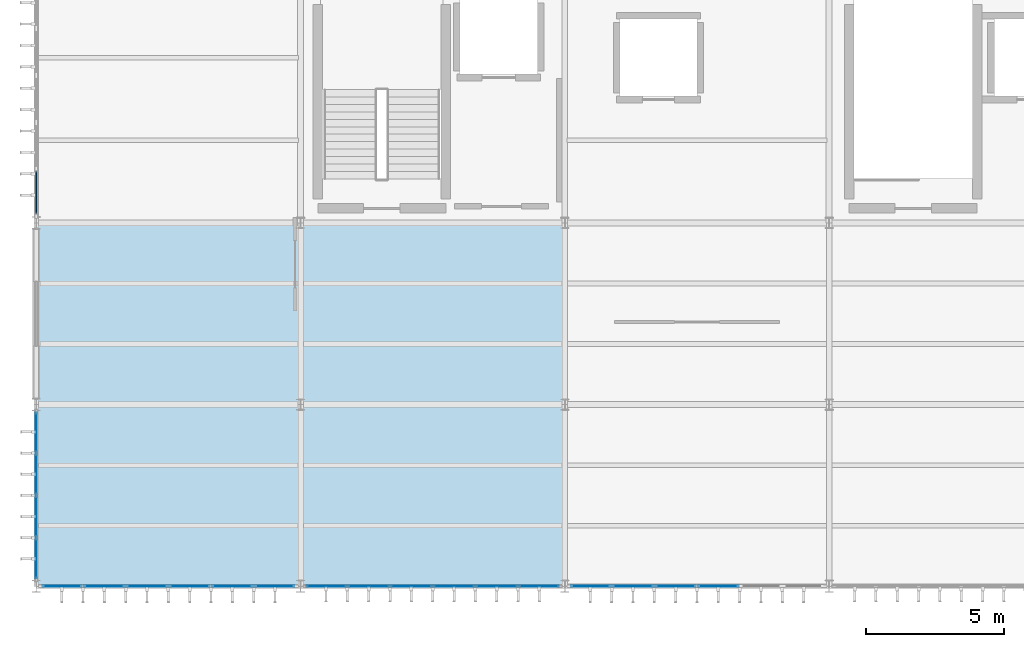
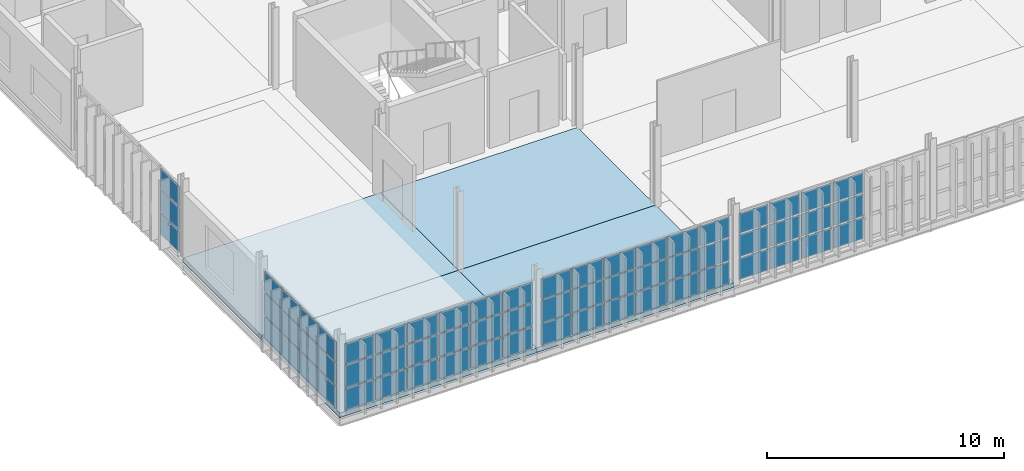
# One storey, part 14 of 38: 63 plates, 4 slabs, 5 elements without a shape of their own.
"""IFC4 building model written with IfcOpenShell, lengths in metres."""

from ifc_helpers import new_model, si_unit, direction, frame, origin, origin_2d, place, context, subcontext, project, spatial, polyline, rectangle, outline, extrude, material, layer, layer_set, type_object, element, aggregate, save


model = new_model("IFC4")

# Units and contexts
model_context = context("Model", 3, precision=1e-05, world=origin(), true_north=direction((0.0, 1.0)))
body_context = subcontext(model_context, "Body", "Model", "MODEL_VIEW")
ifc_project = project(units=[si_unit("LENGTHUNIT", "METRE"), si_unit("AREAUNIT", "SQUARE_METRE"), si_unit("VOLUMEUNIT", "CUBIC_METRE"), si_unit("PLANEANGLEUNIT", "RADIAN"), si_unit("MASSUNIT", "GRAM", prefix="KILO")], contexts=[model_context])

# Site, building, storey
site_placement = place(None, origin())
site = spatial("IfcSite", under=ifc_project, at=site_placement, CompositionType="ELEMENT")
building_placement = place(site_placement, origin())
building = spatial("IfcBuilding", under=site, at=building_placement, Name="Zarnetskaya Central Station", CompositionType="ELEMENT")
storey_placement = place(building_placement, frame((0.0, 0.0, 18.60009765625)))
storey = spatial("IfcBuildingStorey", under=building, at=storey_placement, Name="L04", CompositionType="ELEMENT", Elevation=18.60009765625)

# Curtain wall, plates
ifc_material_1 = material(Name="Low-E insulated glass", Category="glass")
ifc_layer_1 = layer(ifc_material_1, 0.16796875, Name="Low-E insulated glass", Category="glass")
ifc_layer_set_1 = layer_set([ifc_layer_1], Name="Low-E insulated glass")
curtain_wall_type_1 = type_object("IfcCurtainWallType", Name="CW-SYS-08", PredefinedType="USERDEFINED", material=ifc_layer_set_1)
curtain_wall_1_placement = place(storey_placement, origin())
curtain_wall_1 = element("IfcCurtainWall", 1, at=curtain_wall_1_placement, inside=storey, type_object=curtain_wall_type_1, Name="Curtain wall CW-L04-060", ObjectType="CURTAIN WALL", PredefinedType="USERDEFINED")
ifc_layer_2 = layer(ifc_material_1, 0.028076171875, Name="Low-E insulated glass", Category="glass")
ifc_layer_set_2 = layer_set([ifc_layer_2], Name="Low-E insulated glass")
plate_type_1 = type_object("IfcPlateType", Name="CW-PAN-28", PredefinedType="CURTAIN_PANEL", material=ifc_layer_set_2)
plate_1_placement = place(storey_placement, frame((24.77490234375, 0.0, 0.080078125), z_axis=(0.0, 0.0, 1.0), x_axis=(-1.0, 0.0, 0.0)))
plate_1 = element("IfcPlate", 2, at=plate_1_placement, type_object=plate_type_1, Name="CW-16 panel 3.1", PredefinedType="CURTAIN_PANEL", context=body_context, shape_type="SweptSolid", body=[
    extrude(rectangle(XDim=1.469970703125, YDim=0.028076171875, at=origin_2d()), origin(), (0.0, 0.0, 1.0), 1.090087890625),
])
plate_2_placement = place(storey_placement, frame((24.77490234375, 0.0, 1.25), z_axis=(0.0, 0.0, 1.0), x_axis=(-1.0, 0.0, 0.0)))
plate_2 = element("IfcPlate", 3, at=plate_2_placement, type_object=plate_type_1, Name="CW-16 panel 3.2", PredefinedType="CURTAIN_PANEL", context=body_context, shape_type="SweptSolid", body=[
    extrude(rectangle(XDim=1.469970703125, YDim=0.028076171875, at=origin_2d()), origin(), (0.0, 0.0, 1.0), 1.131103515625),
])
plate_3_placement = place(storey_placement, frame((24.77490234375, 0.0, 2.4609375), z_axis=(0.0, 0.0, 1.0), x_axis=(-1.0, 0.0, 0.0)))
plate_3 = element("IfcPlate", 4, at=plate_3_placement, type_object=plate_type_1, Name="CW-16 panel 3.3", PredefinedType="CURTAIN_PANEL", context=body_context, shape_type="SweptSolid", body=[
    extrude(rectangle(XDim=1.469970703125, YDim=0.028076171875, at=origin_2d()), origin(), (0.0, 0.0, 1.0), 1.01904296875),
])
plate_4_placement = place(storey_placement, frame((23.22509765625, 0.0, 0.080078125), z_axis=(0.0, 0.0, 1.0), x_axis=(-1.0, 0.0, 0.0)))
plate_4 = element("IfcPlate", 5, at=plate_4_placement, type_object=plate_type_1, Name="CW-16 panel 4.1", PredefinedType="CURTAIN_PANEL", context=body_context, shape_type="SweptSolid", body=[
    extrude(rectangle(XDim=1.469970703125, YDim=0.028076171875, at=origin_2d()), origin(), (0.0, 0.0, 1.0), 1.090087890625),
])
plate_5_placement = place(storey_placement, frame((23.22509765625, 0.0, 1.25), z_axis=(0.0, 0.0, 1.0), x_axis=(-1.0, 0.0, 0.0)))
plate_5 = element("IfcPlate", 6, at=plate_5_placement, type_object=plate_type_1, Name="CW-16 panel 4.2", PredefinedType="CURTAIN_PANEL", context=body_context, shape_type="SweptSolid", body=[
    extrude(rectangle(XDim=1.469970703125, YDim=0.028076171875, at=origin_2d()), origin(), (0.0, 0.0, 1.0), 1.131103515625),
])
plate_6_placement = place(storey_placement, frame((23.22509765625, 0.0, 2.4609375), z_axis=(0.0, 0.0, 1.0), x_axis=(-1.0, 0.0, 0.0)))
plate_6 = element("IfcPlate", 7, at=plate_6_placement, type_object=plate_type_1, Name="CW-16 panel 4.3", PredefinedType="CURTAIN_PANEL", context=body_context, shape_type="SweptSolid", body=[
    extrude(rectangle(XDim=1.469970703125, YDim=0.028076171875, at=origin_2d()), origin(), (0.0, 0.0, 1.0), 1.01904296875),
])
plate_7_placement = place(storey_placement, frame((21.675048828125, 0.0, 0.080078125), z_axis=(0.0, 0.0, 1.0), x_axis=(-1.0, 0.0, 0.0)))
plate_7 = element("IfcPlate", 8, at=plate_7_placement, type_object=plate_type_1, Name="CW-16 panel 5.1", PredefinedType="CURTAIN_PANEL", context=body_context, shape_type="SweptSolid", body=[
    extrude(rectangle(XDim=1.469970703125, YDim=0.028076171875, at=origin_2d()), origin(), (0.0, 0.0, 1.0), 1.090087890625),
])
plate_8_placement = place(storey_placement, frame((21.675048828125, 0.0, 1.25), z_axis=(0.0, 0.0, 1.0), x_axis=(-1.0, 0.0, 0.0)))
plate_8 = element("IfcPlate", 9, at=plate_8_placement, type_object=plate_type_1, Name="CW-16 panel 5.2", PredefinedType="CURTAIN_PANEL", context=body_context, shape_type="SweptSolid", body=[
    extrude(rectangle(XDim=1.469970703125, YDim=0.028076171875, at=origin_2d()), origin(), (0.0, 0.0, 1.0), 1.131103515625),
])
plate_9_placement = place(storey_placement, frame((21.675048828125, 0.0, 2.4609375), z_axis=(0.0, 0.0, 1.0), x_axis=(-1.0, 0.0, 0.0)))
plate_9 = element("IfcPlate", 10, at=plate_9_placement, type_object=plate_type_1, Name="CW-16 panel 5.3", PredefinedType="CURTAIN_PANEL", context=body_context, shape_type="SweptSolid", body=[
    extrude(rectangle(XDim=1.469970703125, YDim=0.028076171875, at=origin_2d()), origin(), (0.0, 0.0, 1.0), 1.01904296875),
])
plate_10_placement = place(storey_placement, frame((20.14501953125, 0.0, 0.080078125), z_axis=(0.0, 0.0, 1.0), x_axis=(-1.0, 0.0, 0.0)))
plate_10 = element("IfcPlate", 11, at=plate_10_placement, type_object=plate_type_1, Name="CW-16 panel 6.1", PredefinedType="CURTAIN_PANEL", context=body_context, shape_type="SweptSolid", body=[
    extrude(rectangle(XDim=1.429931640625, YDim=0.028076171875, at=origin_2d()), origin(), (0.0, 0.0, 1.0), 1.090087890625),
])
plate_11_placement = place(storey_placement, frame((20.14501953125, 0.0, 1.25), z_axis=(0.0, 0.0, 1.0), x_axis=(-1.0, 0.0, 0.0)))
plate_11 = element("IfcPlate", 12, at=plate_11_placement, type_object=plate_type_1, Name="CW-16 panel 6.2", PredefinedType="CURTAIN_PANEL", context=body_context, shape_type="SweptSolid", body=[
    extrude(rectangle(XDim=1.429931640625, YDim=0.028076171875, at=origin_2d()), origin(), (0.0, 0.0, 1.0), 1.131103515625),
])
plate_12_placement = place(storey_placement, frame((20.14501953125, 0.0, 2.4609375), z_axis=(0.0, 0.0, 1.0), x_axis=(-1.0, 0.0, 0.0)))
plate_12 = element("IfcPlate", 13, at=plate_12_placement, type_object=plate_type_1, Name="CW-16 panel 6.3", PredefinedType="CURTAIN_PANEL", context=body_context, shape_type="SweptSolid", body=[
    extrude(rectangle(XDim=1.429931640625, YDim=0.028076171875, at=origin_2d()), origin(), (0.0, 0.0, 1.0), 1.01904296875),
])
aggregate(curtain_wall_1, [plate_1, plate_2, plate_3, plate_4, plate_5, plate_6, plate_7, plate_8, plate_9, plate_10, plate_11, plate_12])

ifc_layer_3 = layer(ifc_material_1, 0.172119140625, Name="Low-E insulated glass", Category="glass")
ifc_layer_set_3 = layer_set([ifc_layer_3], Name="Low-E insulated glass")
curtain_wall_type_2 = type_object("IfcCurtainWallType", Name="CW-SYS-09", PredefinedType="USERDEFINED", material=ifc_layer_set_3)
curtain_wall_2_placement = place(storey_placement, origin())
curtain_wall_2 = element("IfcCurtainWall", 14, at=curtain_wall_2_placement, inside=storey, type_object=curtain_wall_type_2, Name="Curtain wall CW-L04-061", ObjectType="CURTAIN WALL", PredefinedType="USERDEFINED")
ifc_layer_4 = layer(ifc_material_1, 0.031982421875, Name="Low-E insulated glass", Category="glass")
ifc_layer_set_4 = layer_set([ifc_layer_4], Name="Low-E insulated glass")
plate_type_2 = type_object("IfcPlateType", Name="CW-PAN-32", PredefinedType="CURTAIN_PANEL", material=ifc_layer_set_4)
plate_13_placement = place(storey_placement, frame((18.257568359375, 0.0, 0.06982421875), z_axis=(0.0, 0.0, 1.0), x_axis=(-1.0, 0.0, 0.0)))
plate_13 = element("IfcPlate", 15, at=plate_13_placement, type_object=plate_type_2, Name="CW-07 panel 1.1", PredefinedType="CURTAIN_PANEL", context=body_context, shape_type="SweptSolid", body=[
    extrude(rectangle(XDim=1.445068359375, YDim=0.031982421875, at=origin_2d()), origin(), (0.0, 0.0, 1.0), 1.10498046875),
])
plate_14_placement = place(storey_placement, frame((18.257568359375, 0.0, 1.244873046875), z_axis=(0.0, 0.0, 1.0), x_axis=(-1.0, 0.0, 0.0)))
plate_14 = element("IfcPlate", 16, at=plate_14_placement, type_object=plate_type_2, Name="CW-07 panel 1.2", PredefinedType="CURTAIN_PANEL", context=body_context, shape_type="SweptSolid", body=[
    extrude(rectangle(XDim=1.445068359375, YDim=0.031982421875, at=origin_2d()), origin(), (0.0, 0.0, 1.0), 1.14111328125),
])
plate_15_placement = place(storey_placement, frame((18.257568359375, 0.0, 2.4560546875), z_axis=(0.0, 0.0, 1.0), x_axis=(-1.0, 0.0, 0.0)))
plate_15 = element("IfcPlate", 17, at=plate_15_placement, type_object=plate_type_2, Name="CW-07 panel 1.3", PredefinedType="CURTAIN_PANEL", context=body_context, shape_type="SweptSolid", body=[
    extrude(rectangle(XDim=1.445068359375, YDim=0.031982421875, at=origin_2d()), origin(), (0.0, 0.0, 1.0), 1.033935546875),
])
plate_16_placement = place(storey_placement, frame((16.72509765625, 0.0, 0.06982421875), z_axis=(0.0, 0.0, 1.0), x_axis=(-1.0, 0.0, 0.0)))
plate_16 = element("IfcPlate", 18, at=plate_16_placement, type_object=plate_type_2, Name="CW-07 panel 2.1", PredefinedType="CURTAIN_PANEL", context=body_context, shape_type="SweptSolid", body=[
    extrude(rectangle(XDim=1.47998046875, YDim=0.031982421875, at=origin_2d()), origin(), (0.0, 0.0, 1.0), 1.10498046875),
])
plate_17_placement = place(storey_placement, frame((16.72509765625, 0.0, 1.244873046875), z_axis=(0.0, 0.0, 1.0), x_axis=(-1.0, 0.0, 0.0)))
plate_17 = element("IfcPlate", 19, at=plate_17_placement, type_object=plate_type_2, Name="CW-07 panel 2.2", PredefinedType="CURTAIN_PANEL", context=body_context, shape_type="SweptSolid", body=[
    extrude(rectangle(XDim=1.47998046875, YDim=0.031982421875, at=origin_2d()), origin(), (0.0, 0.0, 1.0), 1.14111328125),
])
plate_18_placement = place(storey_placement, frame((16.72509765625, 0.0, 2.4560546875), z_axis=(0.0, 0.0, 1.0), x_axis=(-1.0, 0.0, 0.0)))
plate_18 = element("IfcPlate", 20, at=plate_18_placement, type_object=plate_type_2, Name="CW-07 panel 2.3", PredefinedType="CURTAIN_PANEL", context=body_context, shape_type="SweptSolid", body=[
    extrude(rectangle(XDim=1.47998046875, YDim=0.031982421875, at=origin_2d()), origin(), (0.0, 0.0, 1.0), 1.033935546875),
])
plate_19_placement = place(storey_placement, frame((15.175048828125, 0.0, 0.06982421875), z_axis=(0.0, 0.0, 1.0), x_axis=(-1.0, 0.0, 0.0)))
plate_19 = element("IfcPlate", 21, at=plate_19_placement, type_object=plate_type_2, Name="CW-07 panel 3.1", PredefinedType="CURTAIN_PANEL", context=body_context, shape_type="SweptSolid", body=[
    extrude(rectangle(XDim=1.47998046875, YDim=0.031982421875, at=origin_2d()), origin(), (0.0, 0.0, 1.0), 1.10498046875),
])
plate_20_placement = place(storey_placement, frame((15.175048828125, 0.0, 1.244873046875), z_axis=(0.0, 0.0, 1.0), x_axis=(-1.0, 0.0, 0.0)))
plate_20 = element("IfcPlate", 22, at=plate_20_placement, type_object=plate_type_2, Name="CW-07 panel 3.2", PredefinedType="CURTAIN_PANEL", context=body_context, shape_type="SweptSolid", body=[
    extrude(rectangle(XDim=1.47998046875, YDim=0.031982421875, at=origin_2d()), origin(), (0.0, 0.0, 1.0), 1.14111328125),
])
plate_21_placement = place(storey_placement, frame((15.175048828125, 0.0, 2.4560546875), z_axis=(0.0, 0.0, 1.0), x_axis=(-1.0, 0.0, 0.0)))
plate_21 = element("IfcPlate", 23, at=plate_21_placement, type_object=plate_type_2, Name="CW-07 panel 3.3", PredefinedType="CURTAIN_PANEL", context=body_context, shape_type="SweptSolid", body=[
    extrude(rectangle(XDim=1.47998046875, YDim=0.031982421875, at=origin_2d()), origin(), (0.0, 0.0, 1.0), 1.033935546875),
])
plate_22_placement = place(storey_placement, frame((13.625, 0.0, 0.06982421875), z_axis=(0.0, 0.0, 1.0), x_axis=(-1.0, 0.0, 0.0)))
plate_22 = element("IfcPlate", 24, at=plate_22_placement, type_object=plate_type_2, Name="CW-07 panel 4.1", PredefinedType="CURTAIN_PANEL", context=body_context, shape_type="SweptSolid", body=[
    extrude(rectangle(XDim=1.47998046875, YDim=0.031982421875, at=origin_2d()), origin(), (0.0, 0.0, 1.0), 1.10498046875),
])
plate_23_placement = place(storey_placement, frame((13.625, 0.0, 1.244873046875), z_axis=(0.0, 0.0, 1.0), x_axis=(-1.0, 0.0, 0.0)))
plate_23 = element("IfcPlate", 25, at=plate_23_placement, type_object=plate_type_2, Name="CW-07 panel 4.2", PredefinedType="CURTAIN_PANEL", context=body_context, shape_type="SweptSolid", body=[
    extrude(rectangle(XDim=1.47998046875, YDim=0.031982421875, at=origin_2d()), origin(), (0.0, 0.0, 1.0), 1.14111328125),
])
plate_24_placement = place(storey_placement, frame((13.625, 0.0, 2.4560546875), z_axis=(0.0, 0.0, 1.0), x_axis=(-1.0, 0.0, 0.0)))
plate_24 = element("IfcPlate", 26, at=plate_24_placement, type_object=plate_type_2, Name="CW-07 panel 4.3", PredefinedType="CURTAIN_PANEL", context=body_context, shape_type="SweptSolid", body=[
    extrude(rectangle(XDim=1.47998046875, YDim=0.031982421875, at=origin_2d()), origin(), (0.0, 0.0, 1.0), 1.033935546875),
])
plate_25_placement = place(storey_placement, frame((12.074951171875, 0.0, 0.06982421875), z_axis=(0.0, 0.0, 1.0), x_axis=(-1.0, 0.0, 0.0)))
plate_25 = element("IfcPlate", 27, at=plate_25_placement, type_object=plate_type_2, Name="CW-07 panel 5.1", PredefinedType="CURTAIN_PANEL", context=body_context, shape_type="SweptSolid", body=[
    extrude(rectangle(XDim=1.47998046875, YDim=0.031982421875, at=origin_2d()), origin(), (0.0, 0.0, 1.0), 1.10498046875),
])
plate_26_placement = place(storey_placement, frame((12.074951171875, 0.0, 1.244873046875), z_axis=(0.0, 0.0, 1.0), x_axis=(-1.0, 0.0, 0.0)))
plate_26 = element("IfcPlate", 28, at=plate_26_placement, type_object=plate_type_2, Name="CW-07 panel 5.2", PredefinedType="CURTAIN_PANEL", context=body_context, shape_type="SweptSolid", body=[
    extrude(rectangle(XDim=1.47998046875, YDim=0.031982421875, at=origin_2d()), origin(), (0.0, 0.0, 1.0), 1.14111328125),
])
plate_27_placement = place(storey_placement, frame((12.074951171875, 0.0, 2.4560546875), z_axis=(0.0, 0.0, 1.0), x_axis=(-1.0, 0.0, 0.0)))
plate_27 = element("IfcPlate", 29, at=plate_27_placement, type_object=plate_type_2, Name="CW-07 panel 5.3", PredefinedType="CURTAIN_PANEL", context=body_context, shape_type="SweptSolid", body=[
    extrude(rectangle(XDim=1.47998046875, YDim=0.031982421875, at=origin_2d()), origin(), (0.0, 0.0, 1.0), 1.033935546875),
])
plate_28_placement = place(storey_placement, frame((10.54248046875, 0.0, 0.06982421875), z_axis=(0.0, 0.0, 1.0), x_axis=(-1.0, 0.0, 0.0)))
plate_28 = element("IfcPlate", 30, at=plate_28_placement, type_object=plate_type_2, Name="CW-07 panel 6.1", PredefinedType="CURTAIN_PANEL", context=body_context, shape_type="SweptSolid", body=[
    extrude(rectangle(XDim=1.445068359375, YDim=0.031982421875, at=origin_2d()), origin(), (0.0, 0.0, 1.0), 1.10498046875),
])
plate_29_placement = place(storey_placement, frame((10.54248046875, 0.0, 1.244873046875), z_axis=(0.0, 0.0, 1.0), x_axis=(-1.0, 0.0, 0.0)))
plate_29 = element("IfcPlate", 31, at=plate_29_placement, type_object=plate_type_2, Name="CW-07 panel 6.2", PredefinedType="CURTAIN_PANEL", context=body_context, shape_type="SweptSolid", body=[
    extrude(rectangle(XDim=1.445068359375, YDim=0.031982421875, at=origin_2d()), origin(), (0.0, 0.0, 1.0), 1.14111328125),
])
plate_30_placement = place(storey_placement, frame((10.54248046875, 0.0, 2.4560546875), z_axis=(0.0, 0.0, 1.0), x_axis=(-1.0, 0.0, 0.0)))
plate_30 = element("IfcPlate", 32, at=plate_30_placement, type_object=plate_type_2, Name="CW-07 panel 6.3", PredefinedType="CURTAIN_PANEL", context=body_context, shape_type="SweptSolid", body=[
    extrude(rectangle(XDim=1.445068359375, YDim=0.031982421875, at=origin_2d()), origin(), (0.0, 0.0, 1.0), 1.033935546875),
])
aggregate(curtain_wall_2, [plate_13, plate_14, plate_15, plate_16, plate_17, plate_18, plate_19, plate_20, plate_21, plate_22, plate_23, plate_24, plate_25, plate_26, plate_27, plate_28, plate_29, plate_30])

ifc_layer_5 = layer(ifc_material_1, 0.159912109375, Name="Low-E insulated glass", Category="glass")
ifc_layer_set_5 = layer_set([ifc_layer_5], Name="Low-E insulated glass")
curtain_wall_type_3 = type_object("IfcCurtainWallType", Name="CW-SYS-06", PredefinedType="USERDEFINED", material=ifc_layer_set_5)
curtain_wall_3_placement = place(storey_placement, origin())
curtain_wall_3 = element("IfcCurtainWall", 33, at=curtain_wall_3_placement, inside=storey, type_object=curtain_wall_type_3, Name="Curtain wall CW-L04-047", ObjectType="CURTAIN WALL", PredefinedType="USERDEFINED")
ifc_layer_6 = layer(ifc_material_1, 0.035888671875, Name="Low-E insulated glass", Category="glass")
ifc_layer_set_6 = layer_set([ifc_layer_6], Name="Low-E insulated glass")
plate_type_3 = type_object("IfcPlateType", Name="CW-PAN-36", PredefinedType="CURTAIN_PANEL", material=ifc_layer_set_6)
plate_31_placement = place(storey_placement, frame((0.0, 1.01123046875, 0.06982421875), z_axis=(0.0, 0.0, 1.0), x_axis=(0.0, 1.0, 0.0)))
plate_31 = element("IfcPlate", 34, at=plate_31_placement, type_object=plate_type_3, Name="CW-02 panel 1.1", PredefinedType="CURTAIN_PANEL", context=body_context, shape_type="SweptSolid", body=[
    extrude(rectangle(XDim=1.4326171875, YDim=0.035888671875, at=origin_2d()), origin(), (0.0, 0.0, 1.0), 1.10498046875),
])
plate_32_placement = place(storey_placement, frame((0.0, 1.01123046875, 1.244873046875), z_axis=(0.0, 0.0, 1.0), x_axis=(0.0, 1.0, 0.0)))
plate_32 = element("IfcPlate", 35, at=plate_32_placement, type_object=plate_type_3, Name="CW-02 panel 1.2", PredefinedType="CURTAIN_PANEL", context=body_context, shape_type="SweptSolid", body=[
    extrude(rectangle(XDim=1.4326171875, YDim=0.035888671875, at=origin_2d()), origin(), (0.0, 0.0, 1.0), 1.14111328125),
])
plate_33_placement = place(storey_placement, frame((0.0, 1.01123046875, 2.4560546875), z_axis=(0.0, 0.0, 1.0), x_axis=(0.0, 1.0, 0.0)))
plate_33 = element("IfcPlate", 36, at=plate_33_placement, type_object=plate_type_3, Name="CW-02 panel 1.3", PredefinedType="CURTAIN_PANEL", context=body_context, shape_type="SweptSolid", body=[
    extrude(rectangle(XDim=1.4326171875, YDim=0.035888671875, at=origin_2d()), origin(), (0.0, 0.0, 1.0), 1.033935546875),
])
plate_34_placement = place(storey_placement, frame((0.0, 2.53125, 0.06982421875), z_axis=(0.0, 0.0, 1.0), x_axis=(0.0, 1.0, 0.0)))
plate_34 = element("IfcPlate", 37, at=plate_34_placement, type_object=plate_type_3, Name="CW-02 panel 2.1", PredefinedType="CURTAIN_PANEL", context=body_context, shape_type="SweptSolid", body=[
    extrude(rectangle(XDim=1.467529296875, YDim=0.035888671875, at=origin_2d()), origin(), (0.0, 0.0, 1.0), 1.10498046875),
])
plate_35_placement = place(storey_placement, frame((0.0, 2.53125, 1.244873046875), z_axis=(0.0, 0.0, 1.0), x_axis=(0.0, 1.0, 0.0)))
plate_35 = element("IfcPlate", 38, at=plate_35_placement, type_object=plate_type_3, Name="CW-02 panel 2.2", PredefinedType="CURTAIN_PANEL", context=body_context, shape_type="SweptSolid", body=[
    extrude(rectangle(XDim=1.467529296875, YDim=0.035888671875, at=origin_2d()), origin(), (0.0, 0.0, 1.0), 1.14111328125),
])
plate_36_placement = place(storey_placement, frame((0.0, 2.53125, 2.4560546875), z_axis=(0.0, 0.0, 1.0), x_axis=(0.0, 1.0, 0.0)))
plate_36 = element("IfcPlate", 39, at=plate_36_placement, type_object=plate_type_3, Name="CW-02 panel 2.3", PredefinedType="CURTAIN_PANEL", context=body_context, shape_type="SweptSolid", body=[
    extrude(rectangle(XDim=1.467529296875, YDim=0.035888671875, at=origin_2d()), origin(), (0.0, 0.0, 1.0), 1.033935546875),
])
plate_37_placement = place(storey_placement, frame((0.0, 4.06884765625, 0.06982421875), z_axis=(0.0, 0.0, 1.0), x_axis=(0.0, 1.0, 0.0)))
plate_37 = element("IfcPlate", 40, at=plate_37_placement, type_object=plate_type_3, Name="CW-02 panel 3.1", PredefinedType="CURTAIN_PANEL", context=body_context, shape_type="SweptSolid", body=[
    extrude(rectangle(XDim=1.467529296875, YDim=0.035888671875, at=origin_2d()), origin(), (0.0, 0.0, 1.0), 1.10498046875),
])
plate_38_placement = place(storey_placement, frame((0.0, 4.06884765625, 1.244873046875), z_axis=(0.0, 0.0, 1.0), x_axis=(0.0, 1.0, 0.0)))
plate_38 = element("IfcPlate", 41, at=plate_38_placement, type_object=plate_type_3, Name="CW-02 panel 3.2", PredefinedType="CURTAIN_PANEL", context=body_context, shape_type="SweptSolid", body=[
    extrude(rectangle(XDim=1.467529296875, YDim=0.035888671875, at=origin_2d()), origin(), (0.0, 0.0, 1.0), 1.14111328125),
])
plate_39_placement = place(storey_placement, frame((0.0, 4.06884765625, 2.4560546875), z_axis=(0.0, 0.0, 1.0), x_axis=(0.0, 1.0, 0.0)))
plate_39 = element("IfcPlate", 42, at=plate_39_placement, type_object=plate_type_3, Name="CW-02 panel 3.3", PredefinedType="CURTAIN_PANEL", context=body_context, shape_type="SweptSolid", body=[
    extrude(rectangle(XDim=1.467529296875, YDim=0.035888671875, at=origin_2d()), origin(), (0.0, 0.0, 1.0), 1.033935546875),
])
plate_40_placement = place(storey_placement, frame((0.0, 5.5888671875, 0.06982421875), z_axis=(0.0, 0.0, 1.0), x_axis=(0.0, 1.0, 0.0)))
plate_40 = element("IfcPlate", 43, at=plate_40_placement, type_object=plate_type_3, Name="CW-02 panel 4.1", PredefinedType="CURTAIN_PANEL", context=body_context, shape_type="SweptSolid", body=[
    extrude(rectangle(XDim=1.4326171875, YDim=0.035888671875, at=origin_2d()), origin(), (0.0, 0.0, 1.0), 1.10498046875),
])
plate_41_placement = place(storey_placement, frame((0.0, 5.5888671875, 1.244873046875), z_axis=(0.0, 0.0, 1.0), x_axis=(0.0, 1.0, 0.0)))
plate_41 = element("IfcPlate", 44, at=plate_41_placement, type_object=plate_type_3, Name="CW-02 panel 4.2", PredefinedType="CURTAIN_PANEL", context=body_context, shape_type="SweptSolid", body=[
    extrude(rectangle(XDim=1.4326171875, YDim=0.035888671875, at=origin_2d()), origin(), (0.0, 0.0, 1.0), 1.14111328125),
])
plate_42_placement = place(storey_placement, frame((0.0, 5.5888671875, 2.4560546875), z_axis=(0.0, 0.0, 1.0), x_axis=(0.0, 1.0, 0.0)))
plate_42 = element("IfcPlate", 45, at=plate_42_placement, type_object=plate_type_3, Name="CW-02 panel 4.3", PredefinedType="CURTAIN_PANEL", context=body_context, shape_type="SweptSolid", body=[
    extrude(rectangle(XDim=1.4326171875, YDim=0.035888671875, at=origin_2d()), origin(), (0.0, 0.0, 1.0), 1.033935546875),
])
aggregate(curtain_wall_3, [plate_31, plate_32, plate_33, plate_34, plate_35, plate_36, plate_37, plate_38, plate_39, plate_40, plate_41, plate_42])

ifc_layer_7 = layer(ifc_material_1, 0.176025390625, Name="Low-E insulated glass", Category="glass")
ifc_layer_set_7 = layer_set([ifc_layer_7], Name="Low-E insulated glass")
curtain_wall_type_4 = type_object("IfcCurtainWallType", Name="CW-SYS-10", PredefinedType="USERDEFINED", material=ifc_layer_set_7)
curtain_wall_4_placement = place(storey_placement, origin())
curtain_wall_4 = element("IfcCurtainWall", 46, at=curtain_wall_4_placement, inside=storey, type_object=curtain_wall_type_4, Name="Curtain wall CW-L04-062", ObjectType="CURTAIN WALL", PredefinedType="USERDEFINED")
plate_43_placement = place(storey_placement, frame((8.655029296875, 0.0, 0.080078125), z_axis=(0.0, 0.0, 1.0), x_axis=(-1.0, 0.0, 0.0)))
plate_43 = element("IfcPlate", 47, at=plate_43_placement, type_object=plate_type_3, Name="CW-13 panel 1.1", PredefinedType="CURTAIN_PANEL", context=body_context, shape_type="SweptSolid", body=[
    extrude(rectangle(XDim=1.429931640625, YDim=0.035888671875, at=origin_2d()), origin(), (0.0, 0.0, 1.0), 1.090087890625),
])
plate_44_placement = place(storey_placement, frame((8.655029296875, 0.0, 1.25), z_axis=(0.0, 0.0, 1.0), x_axis=(-1.0, 0.0, 0.0)))
plate_44 = element("IfcPlate", 48, at=plate_44_placement, type_object=plate_type_3, Name="CW-13 panel 1.2", PredefinedType="CURTAIN_PANEL", context=body_context, shape_type="SweptSolid", body=[
    extrude(rectangle(XDim=1.429931640625, YDim=0.035888671875, at=origin_2d()), origin(), (0.0, 0.0, 1.0), 1.131103515625),
])
plate_45_placement = place(storey_placement, frame((8.655029296875, 0.0, 2.4609375), z_axis=(0.0, 0.0, 1.0), x_axis=(-1.0, 0.0, 0.0)))
plate_45 = element("IfcPlate", 49, at=plate_45_placement, type_object=plate_type_3, Name="CW-13 panel 1.3", PredefinedType="CURTAIN_PANEL", context=body_context, shape_type="SweptSolid", body=[
    extrude(rectangle(XDim=1.429931640625, YDim=0.035888671875, at=origin_2d()), origin(), (0.0, 0.0, 1.0), 1.01904296875),
])
plate_46_placement = place(storey_placement, frame((7.125, 0.0, 0.080078125), z_axis=(0.0, 0.0, 1.0), x_axis=(-1.0, 0.0, 0.0)))
plate_46 = element("IfcPlate", 50, at=plate_46_placement, type_object=plate_type_3, Name="CW-13 panel 2.1", PredefinedType="CURTAIN_PANEL", context=body_context, shape_type="SweptSolid", body=[
    extrude(rectangle(XDim=1.469970703125, YDim=0.035888671875, at=origin_2d()), origin(), (0.0, 0.0, 1.0), 1.090087890625),
])
plate_47_placement = place(storey_placement, frame((7.125, 0.0, 1.25), z_axis=(0.0, 0.0, 1.0), x_axis=(-1.0, 0.0, 0.0)))
plate_47 = element("IfcPlate", 51, at=plate_47_placement, type_object=plate_type_3, Name="CW-13 panel 2.2", PredefinedType="CURTAIN_PANEL", context=body_context, shape_type="SweptSolid", body=[
    extrude(rectangle(XDim=1.469970703125, YDim=0.035888671875, at=origin_2d()), origin(), (0.0, 0.0, 1.0), 1.131103515625),
])
plate_48_placement = place(storey_placement, frame((7.125, 0.0, 2.4609375), z_axis=(0.0, 0.0, 1.0), x_axis=(-1.0, 0.0, 0.0)))
plate_48 = element("IfcPlate", 52, at=plate_48_placement, type_object=plate_type_3, Name="CW-13 panel 2.3", PredefinedType="CURTAIN_PANEL", context=body_context, shape_type="SweptSolid", body=[
    extrude(rectangle(XDim=1.469970703125, YDim=0.035888671875, at=origin_2d()), origin(), (0.0, 0.0, 1.0), 1.01904296875),
])
plate_49_placement = place(storey_placement, frame((5.574951171875, 0.0, 0.080078125), z_axis=(0.0, 0.0, 1.0), x_axis=(-1.0, 0.0, 0.0)))
plate_49 = element("IfcPlate", 53, at=plate_49_placement, type_object=plate_type_3, Name="CW-13 panel 3.1", PredefinedType="CURTAIN_PANEL", context=body_context, shape_type="SweptSolid", body=[
    extrude(rectangle(XDim=1.469970703125, YDim=0.035888671875, at=origin_2d()), origin(), (0.0, 0.0, 1.0), 1.090087890625),
])
plate_50_placement = place(storey_placement, frame((5.574951171875, 0.0, 1.25), z_axis=(0.0, 0.0, 1.0), x_axis=(-1.0, 0.0, 0.0)))
plate_50 = element("IfcPlate", 54, at=plate_50_placement, type_object=plate_type_3, Name="CW-13 panel 3.2", PredefinedType="CURTAIN_PANEL", context=body_context, shape_type="SweptSolid", body=[
    extrude(rectangle(XDim=1.469970703125, YDim=0.035888671875, at=origin_2d()), origin(), (0.0, 0.0, 1.0), 1.131103515625),
])
plate_51_placement = place(storey_placement, frame((5.574951171875, 0.0, 2.4609375), z_axis=(0.0, 0.0, 1.0), x_axis=(-1.0, 0.0, 0.0)))
plate_51 = element("IfcPlate", 55, at=plate_51_placement, type_object=plate_type_3, Name="CW-13 panel 3.3", PredefinedType="CURTAIN_PANEL", context=body_context, shape_type="SweptSolid", body=[
    extrude(rectangle(XDim=1.469970703125, YDim=0.035888671875, at=origin_2d()), origin(), (0.0, 0.0, 1.0), 1.01904296875),
])
plate_52_placement = place(storey_placement, frame((4.02490234375, 0.0, 0.080078125), z_axis=(0.0, 0.0, 1.0), x_axis=(-1.0, 0.0, 0.0)))
plate_52 = element("IfcPlate", 56, at=plate_52_placement, type_object=plate_type_3, Name="CW-13 panel 4.1", PredefinedType="CURTAIN_PANEL", context=body_context, shape_type="SweptSolid", body=[
    extrude(rectangle(XDim=1.469970703125, YDim=0.035888671875, at=origin_2d()), origin(), (0.0, 0.0, 1.0), 1.090087890625),
])
plate_53_placement = place(storey_placement, frame((4.02490234375, 0.0, 1.25), z_axis=(0.0, 0.0, 1.0), x_axis=(-1.0, 0.0, 0.0)))
plate_53 = element("IfcPlate", 57, at=plate_53_placement, type_object=plate_type_3, Name="CW-13 panel 4.2", PredefinedType="CURTAIN_PANEL", context=body_context, shape_type="SweptSolid", body=[
    extrude(rectangle(XDim=1.469970703125, YDim=0.035888671875, at=origin_2d()), origin(), (0.0, 0.0, 1.0), 1.131103515625),
])
plate_54_placement = place(storey_placement, frame((4.02490234375, 0.0, 2.4609375), z_axis=(0.0, 0.0, 1.0), x_axis=(-1.0, 0.0, 0.0)))
plate_54 = element("IfcPlate", 58, at=plate_54_placement, type_object=plate_type_3, Name="CW-13 panel 4.3", PredefinedType="CURTAIN_PANEL", context=body_context, shape_type="SweptSolid", body=[
    extrude(rectangle(XDim=1.469970703125, YDim=0.035888671875, at=origin_2d()), origin(), (0.0, 0.0, 1.0), 1.01904296875),
])
plate_55_placement = place(storey_placement, frame((2.47509765625, 0.0, 0.080078125), z_axis=(0.0, 0.0, 1.0), x_axis=(-1.0, 0.0, 0.0)))
plate_55 = element("IfcPlate", 59, at=plate_55_placement, type_object=plate_type_3, Name="CW-13 panel 5.1", PredefinedType="CURTAIN_PANEL", context=body_context, shape_type="SweptSolid", body=[
    extrude(rectangle(XDim=1.469970703125, YDim=0.035888671875, at=origin_2d()), origin(), (0.0, 0.0, 1.0), 1.090087890625),
])
plate_56_placement = place(storey_placement, frame((2.47509765625, 0.0, 1.25), z_axis=(0.0, 0.0, 1.0), x_axis=(-1.0, 0.0, 0.0)))
plate_56 = element("IfcPlate", 60, at=plate_56_placement, type_object=plate_type_3, Name="CW-13 panel 5.2", PredefinedType="CURTAIN_PANEL", context=body_context, shape_type="SweptSolid", body=[
    extrude(rectangle(XDim=1.469970703125, YDim=0.035888671875, at=origin_2d()), origin(), (0.0, 0.0, 1.0), 1.131103515625),
])
plate_57_placement = place(storey_placement, frame((2.47509765625, 0.0, 2.4609375), z_axis=(0.0, 0.0, 1.0), x_axis=(-1.0, 0.0, 0.0)))
plate_57 = element("IfcPlate", 61, at=plate_57_placement, type_object=plate_type_3, Name="CW-13 panel 5.3", PredefinedType="CURTAIN_PANEL", context=body_context, shape_type="SweptSolid", body=[
    extrude(rectangle(XDim=1.469970703125, YDim=0.035888671875, at=origin_2d()), origin(), (0.0, 0.0, 1.0), 1.01904296875),
])
plate_58_placement = place(storey_placement, frame((0.945068359375, 0.0, 0.080078125), z_axis=(0.0, 0.0, 1.0), x_axis=(-1.0, 0.0, 0.0)))
plate_58 = element("IfcPlate", 62, at=plate_58_placement, type_object=plate_type_3, Name="CW-13 panel 6.1", PredefinedType="CURTAIN_PANEL", context=body_context, shape_type="SweptSolid", body=[
    extrude(rectangle(XDim=1.429931640625, YDim=0.035888671875, at=origin_2d()), origin(), (0.0, 0.0, 1.0), 1.090087890625),
])
plate_59_placement = place(storey_placement, frame((0.945068359375, 0.0, 1.25), z_axis=(0.0, 0.0, 1.0), x_axis=(-1.0, 0.0, 0.0)))
plate_59 = element("IfcPlate", 63, at=plate_59_placement, type_object=plate_type_3, Name="CW-13 panel 6.2", PredefinedType="CURTAIN_PANEL", context=body_context, shape_type="SweptSolid", body=[
    extrude(rectangle(XDim=1.429931640625, YDim=0.035888671875, at=origin_2d()), origin(), (0.0, 0.0, 1.0), 1.131103515625),
])
plate_60_placement = place(storey_placement, frame((0.945068359375, 0.0, 2.4609375), z_axis=(0.0, 0.0, 1.0), x_axis=(-1.0, 0.0, 0.0)))
plate_60 = element("IfcPlate", 64, at=plate_60_placement, type_object=plate_type_3, Name="CW-13 panel 6.3", PredefinedType="CURTAIN_PANEL", context=body_context, shape_type="SweptSolid", body=[
    extrude(rectangle(XDim=1.429931640625, YDim=0.035888671875, at=origin_2d()), origin(), (0.0, 0.0, 1.0), 1.01904296875),
])
aggregate(curtain_wall_4, [plate_43, plate_44, plate_45, plate_46, plate_47, plate_48, plate_49, plate_50, plate_51, plate_52, plate_53, plate_54, plate_55, plate_56, plate_57, plate_58, plate_59, plate_60])

curtain_wall_5_placement = place(storey_placement, origin())
curtain_wall_5 = element("IfcCurtainWall", 65, at=curtain_wall_5_placement, inside=storey, type_object=curtain_wall_type_1, Name="Curtain wall CW-L04-048", ObjectType="CURTAIN WALL", PredefinedType="USERDEFINED")
ifc_layer_8 = layer(ifc_material_1, 0.0400390625, Name="Low-E insulated glass", Category="glass")
ifc_layer_set_8 = layer_set([ifc_layer_8], Name="Low-E insulated glass")
plate_type_4 = type_object("IfcPlateType", Name="CW-PAN-40", PredefinedType="CURTAIN_PANEL", material=ifc_layer_set_8)
plate_61_placement = place(storey_placement, frame((0.0, 14.300048828125, 0.080078125), z_axis=(0.0, 0.0, 1.0), x_axis=(0.0, 1.0, 0.0)))
plate_61 = element("IfcPlate", 66, at=plate_61_placement, type_object=plate_type_4, Name="CW-16 panel 1.1", PredefinedType="CURTAIN_PANEL", context=body_context, shape_type="SweptSolid", body=[
    extrude(rectangle(XDim=1.590087890625, YDim=0.0400390625, at=origin_2d()), origin(), (0.0, 0.0, 1.0), 1.090087890625),
])
plate_62_placement = place(storey_placement, frame((0.0, 14.300048828125, 1.25), z_axis=(0.0, 0.0, 1.0), x_axis=(0.0, 1.0, 0.0)))
plate_62 = element("IfcPlate", 67, at=plate_62_placement, type_object=plate_type_4, Name="CW-16 panel 1.2", PredefinedType="CURTAIN_PANEL", context=body_context, shape_type="SweptSolid", body=[
    extrude(rectangle(XDim=1.590087890625, YDim=0.0400390625, at=origin_2d()), origin(), (0.0, 0.0, 1.0), 1.131103515625),
])
plate_63_placement = place(storey_placement, frame((0.0, 14.300048828125, 2.4609375), z_axis=(0.0, 0.0, 1.0), x_axis=(0.0, 1.0, 0.0)))
plate_63 = element("IfcPlate", 68, at=plate_63_placement, type_object=plate_type_4, Name="CW-16 panel 1.3", PredefinedType="CURTAIN_PANEL", context=body_context, shape_type="SweptSolid", body=[
    extrude(rectangle(XDim=1.590087890625, YDim=0.0400390625, at=origin_2d()), origin(), (0.0, 0.0, 1.0), 1.01904296875),
])
aggregate(curtain_wall_5, [plate_61, plate_62, plate_63])

# Slabs
ifc_material_2 = material(Name="Concrete C30/37", Category="concrete")
ifc_layer_9 = layer(ifc_material_2, 0.239990234375, Name="Concrete C30/37", Category="concrete")
ifc_layer_set_9 = layer_set([ifc_layer_9], Name="Concrete C30/37")
slab_type = type_object("IfcSlabType", Name="SLAB-UPP-240", PredefinedType="FLOOR", material=ifc_layer_set_9)
slab_1_placement = place(storey_placement, frame((0.0, 0.0, -0.239990234375)))
element("IfcSlab", 69, at=slab_1_placement, inside=storey, type_object=slab_type, Name="L04 slab A-B/1-2", PredefinedType="FLOOR", context=body_context, shape_type="SweptSolid", body=[
    extrude(outline(polyline([(0.0, 0.0), (9.60009765625, 0.0), (9.60009765625, 6.60009765625), (0.0, 6.60009765625), (0.0, 0.0)])), origin(), (0.0, 0.0, 1.0), 0.239990234375),
])
slab_2_placement = place(storey_placement, frame((0.0, 0.0, -0.239990234375)))
element("IfcSlab", 70, at=slab_2_placement, inside=storey, type_object=slab_type, Name="L04 slab A-B/2-3", PredefinedType="FLOOR", context=body_context, shape_type="SweptSolid", body=[
    extrude(outline(polyline([(0.0, 6.60009765625), (9.60009765625, 6.60009765625), (9.60009765625, 13.199951171875), (0.0, 13.199951171875), (0.0, 6.60009765625)])), origin(), (0.0, 0.0, 1.0), 0.239990234375),
])
slab_3_placement = place(storey_placement, frame((0.0, 0.0, -0.239990234375)))
element("IfcSlab", 71, at=slab_3_placement, inside=storey, type_object=slab_type, Name="L04 slab B-C/1-2", PredefinedType="FLOOR", context=body_context, shape_type="SweptSolid", body=[
    extrude(outline(polyline([(9.60009765625, 0.0), (19.199951171875, 0.0), (19.199951171875, 6.60009765625), (9.60009765625, 6.60009765625), (9.60009765625, 0.0)])), origin(), (0.0, 0.0, 1.0), 0.239990234375),
])
slab_4_placement = place(storey_placement, frame((0.0, 0.0, -0.239990234375)))
element("IfcSlab", 72, at=slab_4_placement, inside=storey, type_object=slab_type, Name="L04 slab B-C/2-3", PredefinedType="FLOOR", context=body_context, shape_type="SweptSolid", body=[
    extrude(outline(polyline([(9.60009765625, 6.60009765625), (19.199951171875, 6.60009765625), (19.199951171875, 13.199951171875), (9.60009765625, 13.199951171875), (9.60009765625, 6.60009765625)])), origin(), (0.0, 0.0, 1.0), 0.239990234375),
])

save(model, "model.ifc")
